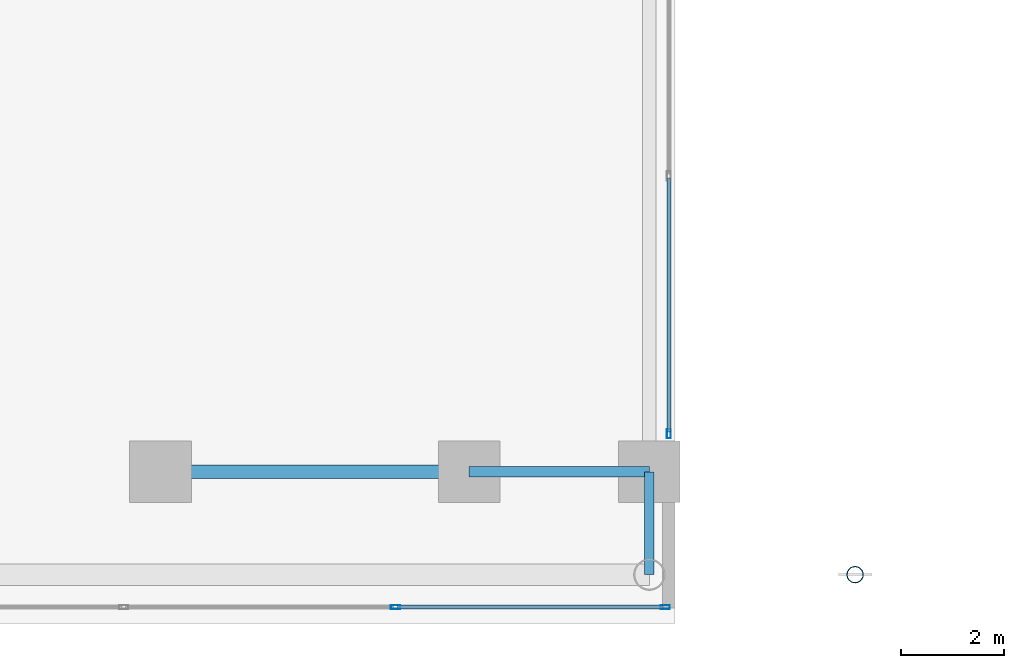
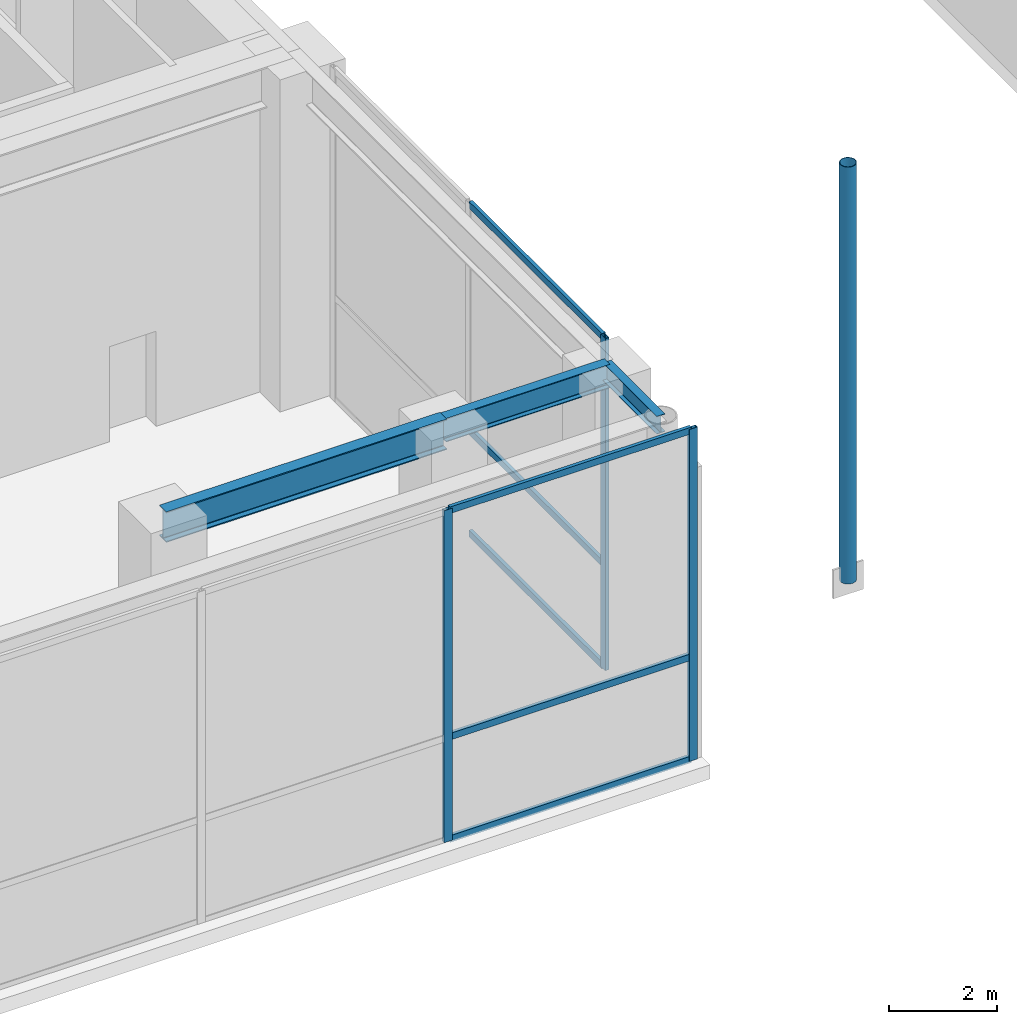
# One storey, part 5 of 29: 10 members, 3 beams, 2 elements without a shape of their own.
"""IFC4 building model written with IfcOpenShell, lengths in metres."""

from ifc_helpers import new_model, si_unit, direction, frame, origin, origin_2d, place, context, subcontext, project, spatial, hollow_rectangle, hollow_circle, i_section, extrude, source, transform, mapped, material, layer, layer_set, material_profile, profile_set, type_object, element, aggregate, save


model = new_model("IFC4")

# Units and contexts
model_context = context("Model", 3, precision=1e-05, world=origin(), true_north=direction((0.0, 1.0)))
body_context = subcontext(model_context, "Body", "Model", "MODEL_VIEW")
ifc_project = project(units=[si_unit("LENGTHUNIT", "METRE"), si_unit("AREAUNIT", "SQUARE_METRE"), si_unit("VOLUMEUNIT", "CUBIC_METRE"), si_unit("PLANEANGLEUNIT", "RADIAN"), si_unit("MASSUNIT", "GRAM", prefix="KILO")], contexts=[model_context])

# Site, building, storey
site_placement = place(None, origin())
site = spatial("IfcSite", under=ifc_project, at=site_placement, CompositionType="ELEMENT")
building_placement = place(site_placement, origin())
building = spatial("IfcBuilding", under=site, at=building_placement, Name="Ocotamira Hotel", CompositionType="ELEMENT")
storey_placement = place(building_placement, frame((0.0, 0.0, 11.39990234375)))
storey = spatial("IfcBuildingStorey", under=building, at=storey_placement, Name="L03", CompositionType="ELEMENT", Elevation=11.39990234375)

# Beams
ifc_material_1 = material(Name="Steel ASTM A992 Grade 50", Category="steel")
ifc_material_profile_1 = material_profile(ifc_material_1, i_section(OverallWidth=0.256103515625, OverallDepth=0.693115234375, WebThickness=0.014404296875, FlangeThickness=0.023681640625, FilletRadius=0.01611328125, at=origin_2d()), Name="W27X114")
ifc_profile_set_1 = profile_set([ifc_material_profile_1], Name="Steel ASTM A992 Grade 50")
beam_type_1 = type_object("IfcBeamType", Name="BM-PRIM-W27X114", PredefinedType="BEAM", material=ifc_profile_set_1)
shared_shape_1 = source(origin(), body_context, "Body", "SweptSolid", [
    extrude(i_section(OverallWidth=0.256103515625, OverallDepth=0.693115234375, WebThickness=0.014404296875, FlangeThickness=0.023681640625, FilletRadius=0.01611328125, at=origin_2d()), origin(), (0.0, 0.0, 1.0), 6.0),
])
beam_1_placement = place(storey_placement, frame((14.0, 2.949951171875, 7.16357421875), z_axis=(1.0, 0.0, 0.0), x_axis=(0.0, 1.0, 0.0)))
element("IfcBeam", 1, at=beam_1_placement, inside=storey, type_object=beam_type_1, Name="L03 Girder Y2.95 X14-20", PredefinedType="BEAM", context=body_context, shape_type="MappedRepresentation", body=[
    mapped(shared_shape_1, transform((0.0, 0.0, 0.0), scale=1.0)),
])
ifc_material_profile_2 = material_profile(ifc_material_1, i_section(OverallWidth=0.2099609375, OverallDepth=0.537109375, WebThickness=0.010986328125, FlangeThickness=0.017333984375, FilletRadius=0.012939453125, at=origin_2d()), Name="W21X68")
ifc_profile_set_2 = profile_set([ifc_material_profile_2], Name="Steel ASTM A992 Grade 50")
beam_type_2 = type_object("IfcBeamType", Name="BM-SEC-W21X68", PredefinedType="JOIST", material=ifc_profile_set_2)
shared_shape_2 = source(origin(), body_context, "Body", "SweptSolid", [
    extrude(i_section(OverallWidth=0.2099609375, OverallDepth=0.537109375, WebThickness=0.010986328125, FlangeThickness=0.017333984375, FilletRadius=0.012939453125, at=origin_2d()), origin(), (0.0, 0.0, 1.0), 3.5),
])
beam_2_placement = place(storey_placement, frame((20.0, 2.949951171875, 7.24169921875), z_axis=(1.0, 0.0, 0.0), x_axis=(0.0, 1.0, 0.0)))
element("IfcBeam", 2, at=beam_2_placement, inside=storey, type_object=beam_type_2, Name="L03 Girder Y2.95 X20-23.5", PredefinedType="JOIST", context=body_context, shape_type="MappedRepresentation", body=[
    mapped(shared_shape_2, transform((0.0, 0.0, 0.0), scale=1.0)),
])
ifc_material_profile_3 = material_profile(ifc_material_1, i_section(OverallWidth=0.177978515625, OverallDepth=0.403076171875, WebThickness=0.007568359375, FlangeThickness=0.010986328125, FilletRadius=0.010009765625, at=origin_2d()), Name="W16X36")
ifc_profile_set_3 = profile_set([ifc_material_profile_3], Name="Steel ASTM A992 Grade 50")
beam_type_3 = type_object("IfcBeamType", Name="BM-SEC-W16X36", PredefinedType="JOIST", material=ifc_profile_set_3)
shared_shape_3 = source(origin(), body_context, "Body", "SweptSolid", [
    extrude(i_section(OverallWidth=0.177978515625, OverallDepth=0.403076171875, WebThickness=0.007568359375, FlangeThickness=0.010986328125, FilletRadius=0.010009765625, at=origin_2d()), origin(), (0.0, 0.0, 1.0), 2.0),
])
beam_3_placement = place(storey_placement, frame((23.5, 0.949951171875, 7.30859375), z_axis=(0.0, 1.0, 0.0), x_axis=(-1.0, 0.0, 0.0)))
element("IfcBeam", 3, at=beam_3_placement, inside=storey, type_object=beam_type_3, Name="L03 Beam X23.5 Y0.95-2.95", PredefinedType="JOIST", context=body_context, shape_type="MappedRepresentation", body=[
    mapped(shared_shape_3, transform((0.0, 0.0, 0.0), scale=1.0)),
])

# Member
ifc_material_2 = material(Name="Steel ASTM A500 Grade C", Category="steel")
ifc_material_profile_4 = material_profile(ifc_material_2, hollow_circle(Radius=0.162109375, WallThickness=0.011962890625, at=origin_2d()), Name="CHS324X12")
ifc_profile_set_4 = profile_set([ifc_material_profile_4], Name="Steel ASTM A500 Grade C")
member_type_1 = type_object("IfcMemberType", Name="MEM-STRUT-CHS324", PredefinedType="STRUT", material=ifc_profile_set_4)
shared_shape_4 = source(origin(), body_context, "Body", "SweptSolid", [
    extrude(hollow_circle(Radius=0.162109375, WallThickness=0.011962890625, at=origin_2d()), origin(), (0.0, 0.0, 1.0), 9.429931640625),
])
member_1_placement = place(storey_placement, frame((27.5, 0.949951171875, 2.400146484375), z_axis=(0.0, 0.0, 1.0), x_axis=(1.0, 0.0, 0.0)))
element("IfcMember", 4, at=member_1_placement, inside=storey, type_object=member_type_1, Name="Portal Arch Spandrel Strut S1", PredefinedType="STRUT", context=body_context, shape_type="MappedRepresentation", body=[
    mapped(shared_shape_4, transform((0.0, 0.0, 0.0), scale=1.0)),
])

# Curtain wall, members
ifc_material_3 = material(Name="Anodised pale-metal aluminium and solar glass", Category="aluminium")
ifc_layer = layer(ifc_material_3, 0.219970703125)
ifc_layer_set = layer_set([ifc_layer], Name="Anodised pale-metal aluminium and solar glass")
curtain_wall_type = type_object("IfcCurtainWallType", Name="CW-SYS1-POD", PredefinedType="NOTDEFINED", material=ifc_layer_set)
curtain_wall_1_placement = place(storey_placement, origin())
curtain_wall_1 = element("IfcCurtainWall", 5, at=curtain_wall_1_placement, inside=storey, type_object=curtain_wall_type, Name="L03 Curtain Wall CW-1 CW-L03-SW", PredefinedType="NOTDEFINED")
ifc_material_4 = material(Name="Anodised pale-metal aluminium 6063-T6", Category="aluminium")
ifc_material_profile_5 = material_profile(ifc_material_4, hollow_rectangle(XDim=0.074951171875, YDim=0.14990234375, WallThickness=0.006103515625, at=origin_2d()), Name="HSS150X75X6")
ifc_profile_set_5 = profile_set([ifc_material_profile_5], Name="Anodised pale-metal aluminium 6063-T6")
member_type_2 = type_object("IfcMemberType", Name="CWT-150X75", PredefinedType="USERDEFINED", material=ifc_profile_set_5)
shared_shape_5 = source(origin(), body_context, "Body", "SweptSolid", [
    extrude(hollow_rectangle(XDim=0.074951171875, YDim=0.14990234375, WallThickness=0.006103515625, at=origin_2d()), origin(), (0.0, 0.0, 1.0), 5.163330078125),
])
member_2_placement = place(storey_placement, frame((18.606689453125, 0.320068359375, 0.03759765625), z_axis=(1.0, 0.0, 0.0), x_axis=(0.0, 1.0, 0.0)))
member_2 = element("IfcMember", 6, at=member_2_placement, type_object=member_type_2, Name="CW-1 transom 3.1", ObjectType="TRANSOM", PredefinedType="USERDEFINED", context=body_context, shape_type="MappedRepresentation", body=[
    mapped(shared_shape_5, transform((0.0, 0.0, 0.0), scale=1.0)),
])
member_3_placement = place(storey_placement, frame((18.606689453125, 0.320068359375, 2.35009765625), z_axis=(1.0, 0.0, 0.0), x_axis=(0.0, 1.0, 0.0)))
member_3 = element("IfcMember", 7, at=member_3_placement, type_object=member_type_2, Name="CW-1 transom 3.2", ObjectType="TRANSOM", PredefinedType="USERDEFINED", context=body_context, shape_type="MappedRepresentation", body=[
    mapped(shared_shape_5, transform((0.0, 0.0, 0.0), scale=1.0)),
])
member_4_placement = place(storey_placement, frame((18.606689453125, 0.320068359375, 7.47265625), z_axis=(1.0, 0.0, 0.0), x_axis=(0.0, 1.0, 0.0)))
member_4 = element("IfcMember", 8, at=member_4_placement, type_object=member_type_2, Name="CW-1 transom 3.3", ObjectType="TRANSOM", PredefinedType="USERDEFINED", context=body_context, shape_type="MappedRepresentation", body=[
    mapped(shared_shape_5, transform((0.0, 0.0, 0.0), scale=1.0)),
])

curtain_wall_2_placement = place(storey_placement, origin())
curtain_wall_2 = element("IfcCurtainWall", 9, at=curtain_wall_2_placement, inside=storey, type_object=curtain_wall_type, Name="L03 Curtain Wall CW-1 CW-L03-AW-S", PredefinedType="NOTDEFINED")
shared_shape_6 = source(origin(), body_context, "Body", "SweptSolid", [
    extrude(hollow_rectangle(XDim=0.074951171875, YDim=0.14990234375, WallThickness=0.006103515625, at=origin_2d()), origin(), (0.0, 0.0, 1.0), 4.929931640625),
])
member_5_placement = place(storey_placement, frame((23.8798828125, 3.72998046875, 0.03759765625), z_axis=(0.0, 1.0, 0.0), x_axis=(-1.0, 0.0, 0.0)))
member_5 = element("IfcMember", 10, at=member_5_placement, type_object=member_type_2, Name="CW-1 transom 1.1", ObjectType="TRANSOM", PredefinedType="USERDEFINED", context=body_context, shape_type="MappedRepresentation", body=[
    mapped(shared_shape_6, transform((0.0, 0.0, 0.0), scale=1.0)),
])
member_6_placement = place(storey_placement, frame((23.8798828125, 3.72998046875, 2.35009765625), z_axis=(0.0, 1.0, 0.0), x_axis=(-1.0, 0.0, 0.0)))
member_6 = element("IfcMember", 11, at=member_6_placement, type_object=member_type_2, Name="CW-1 transom 1.2", ObjectType="TRANSOM", PredefinedType="USERDEFINED", context=body_context, shape_type="MappedRepresentation", body=[
    mapped(shared_shape_6, transform((0.0, 0.0, 0.0), scale=1.0)),
])
member_7_placement = place(storey_placement, frame((23.8798828125, 3.72998046875, 7.47265625), z_axis=(0.0, 1.0, 0.0), x_axis=(-1.0, 0.0, 0.0)))
member_7 = element("IfcMember", 12, at=member_7_placement, type_object=member_type_2, Name="CW-1 transom 1.3", ObjectType="TRANSOM", PredefinedType="USERDEFINED", context=body_context, shape_type="MappedRepresentation", body=[
    mapped(shared_shape_6, transform((0.0, 0.0, 0.0), scale=1.0)),
])

# Member
ifc_material_profile_6 = material_profile(ifc_material_4, hollow_rectangle(XDim=0.080078125, YDim=0.179931640625, WallThickness=0.006103515625, at=origin_2d()), Name="HSS180X80X6")
ifc_profile_set_6 = profile_set([ifc_material_profile_6], Name="Anodised pale-metal aluminium 6063-T6")
member_type_3 = type_object("IfcMemberType", Name="CWM-180X75", PredefinedType="MULLION", material=ifc_profile_set_6)
shared_shape_7 = source(origin(), body_context, "Body", "SweptSolid", [
    extrude(hollow_rectangle(XDim=0.080078125, YDim=0.179931640625, WallThickness=0.006103515625, at=origin_2d()), origin(), (0.0, 0.0, 1.0), 7.510009765625),
])
member_8_placement = place(storey_placement, frame((18.566650390625, 0.320068359375, 0.0), z_axis=(0.0, 0.0, 1.0), x_axis=(0.0, 1.0, 0.0)))
member_8 = element("IfcMember", 13, at=member_8_placement, type_object=member_type_3, Name="CW-1 mullion 3", PredefinedType="MULLION", context=body_context, shape_type="MappedRepresentation", body=[
    mapped(shared_shape_7, transform((0.0, 0.0, 0.0), scale=1.0)),
])

member_9_placement = place(storey_placement, frame((23.81005859375, 0.320068359375, 0.0), z_axis=(0.0, 0.0, 1.0), x_axis=(0.0, 1.0, 0.0)))
member_9 = element("IfcMember", 14, at=member_9_placement, type_object=member_type_3, Name="CW-1 mullion 4", PredefinedType="MULLION", context=body_context, shape_type="MappedRepresentation", body=[
    mapped(shared_shape_7, transform((0.0, 0.0, 0.0), scale=1.0)),
])

aggregate(curtain_wall_1, [member_8, member_9, member_2, member_3, member_4])

member_10_placement = place(storey_placement, frame((23.8798828125, 3.68994140625, 0.0), z_axis=(0.0, 0.0, 1.0), x_axis=(-1.0, 0.0, 0.0)))
member_10 = element("IfcMember", 15, at=member_10_placement, type_object=member_type_3, Name="CW-1 mullion 1", PredefinedType="MULLION", context=body_context, shape_type="MappedRepresentation", body=[
    mapped(shared_shape_7, transform((0.0, 0.0, 0.0), scale=1.0)),
])

aggregate(curtain_wall_2, [member_10, member_5, member_6, member_7])

save(model, "model.ifc")
